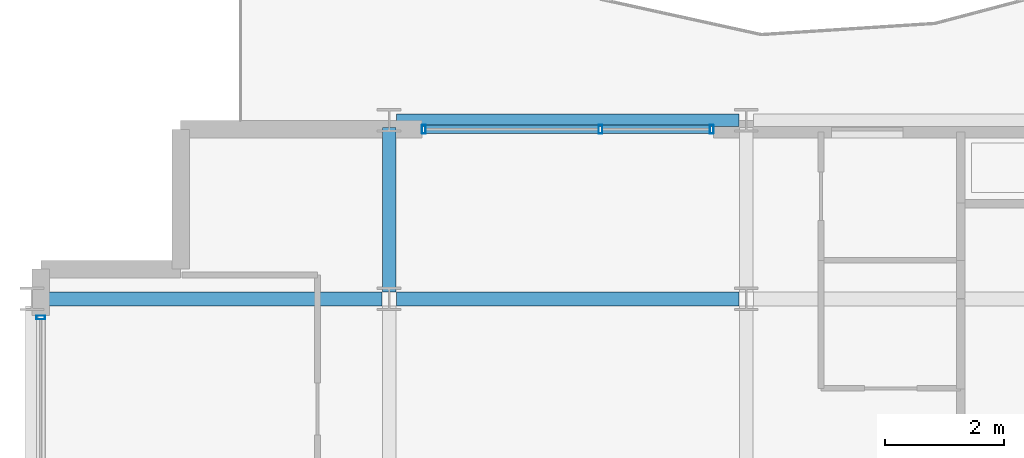
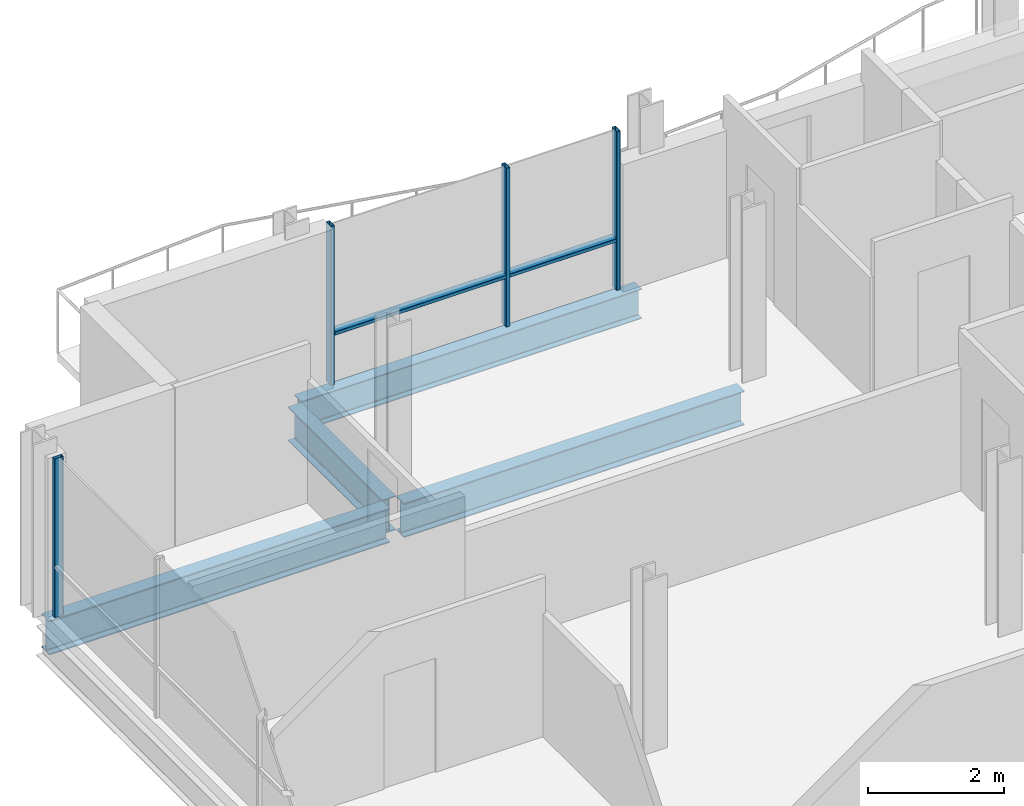
# One storey, part 8 of 36: 6 members, 4 beams, 2 elements without a shape of their own.
"""IFC4 building model written with IfcOpenShell, lengths in metres."""

from ifc_helpers import new_model, si_unit, direction, frame, origin, origin_2d, place, context, subcontext, project, spatial, hollow_rectangle, i_section, extrude, material, layer, layer_set, material_profile, profile_set, type_object, element, aggregate, save


model = new_model("IFC4")

# Units and contexts
model_context = context("Model", 3, precision=1e-05, world=origin(), true_north=direction((0.0, 1.0)))
body_context = subcontext(model_context, "Body", "Model", "MODEL_VIEW")
ifc_project = project(units=[si_unit("LENGTHUNIT", "METRE"), si_unit("AREAUNIT", "SQUARE_METRE"), si_unit("VOLUMEUNIT", "CUBIC_METRE"), si_unit("PLANEANGLEUNIT", "RADIAN"), si_unit("MASSUNIT", "GRAM", prefix="KILO")], contexts=[model_context])

# Site, building, storey
site_placement = place(None, origin())
site = spatial("IfcSite", under=ifc_project, at=site_placement, CompositionType="ELEMENT")
building_placement = place(site_placement, origin())
building = spatial("IfcBuilding", under=site, at=building_placement, Name="Brevholm Reach", CompositionType="ELEMENT")
storey_placement = place(building_placement, frame((0.0, 0.0, 175.89990234375)))
storey = spatial("IfcBuildingStorey", under=building, at=storey_placement, Name="L53", CompositionType="ELEMENT", Elevation=175.89990234375)

# Beams
ifc_material_1 = material(Name="Structural Steel S355J2", Category="steel")
ifc_material_profile_1 = material_profile(ifc_material_1, i_section(OverallWidth=0.209228515625, OverallDepth=0.533203125, WebThickness=0.010009765625, FlangeThickness=0.015625, FilletRadius=0.0126953125, at=origin_2d()), Name="UKB 533x210x92")
ifc_profile_set_1 = profile_set([ifc_material_profile_1], Name="Structural Steel S355J2")
beam_type_1 = type_object("IfcBeamType", Name="BM-SP533", PredefinedType="SPANDREL", material=ifc_profile_set_1)
beam_1_placement = place(storey_placement, frame((6.1201171875, 26.5, -0.4765625), z_axis=(1.0, 0.0, 0.0), x_axis=(0.0, 1.0, 0.0)))
element("IfcBeam", 1, at=beam_1_placement, inside=storey, type_object=beam_type_1, Name="L53 SP-02 Framing Beam", PredefinedType="SPANDREL", context=body_context, shape_type="SweptSolid", body=[
    extrude(i_section(OverallWidth=0.209228515625, OverallDepth=0.533203125, WebThickness=0.010009765625, FlangeThickness=0.015625, FilletRadius=0.0126953125, at=origin_2d()), origin(), (0.0, 0.0, 1.0), 5.759765625),
])
ifc_material_2 = material(Name="Structural Steel S355J2", Category="steel")
ifc_material_profile_2 = material_profile(ifc_material_2, i_section(OverallWidth=0.22900390625, OverallDepth=0.6123046875, WebThickness=0.011962890625, FlangeThickness=0.01953125, FilletRadius=0.0126953125, at=origin_2d()), Name="UKB 610x229x125")
ifc_profile_set_2 = profile_set([ifc_material_profile_2], Name="Structural Steel S355J2")
beam_type_2 = type_object("IfcBeamType", Name="BM-SP610", PredefinedType="SPANDREL", material=ifc_profile_set_2)
for number, where, z_axis, x_axis, name in (
    (2, (0.1201171875, 23.5, -0.51611328125), (1.0, 0.0, 0.0), (0.0, 1.0, 0.0), "L53 SP-01 Framing Beam"),
    (3, (6.1201171875, 23.5, -0.51611328125), (1.0, 0.0, 0.0), (0.0, 1.0, 0.0), "L53 SP-01 Framing Beam"),
):
    element("IfcBeam", number, at=place(storey_placement, frame(where, z_axis=z_axis, x_axis=x_axis)), inside=storey, type_object=beam_type_2, Name=name, PredefinedType="SPANDREL", context=body_context, shape_type="SweptSolid", body=[
        extrude(i_section(OverallWidth=0.22900390625, OverallDepth=0.6123046875, WebThickness=0.011962890625, FlangeThickness=0.01953125, FilletRadius=0.0126953125, at=origin_2d()), origin(), (0.0, 0.0, 1.0), 5.759765625),
    ])
beam_2_placement = place(storey_placement, frame((6.0, 23.6201171875, -0.51611328125), z_axis=(0.0, 1.0, 0.0), x_axis=(-1.0, 0.0, 0.0)))
element("IfcBeam", 4, at=beam_2_placement, inside=storey, type_object=beam_type_2, Name="L53 SP-01 Framing Beam", PredefinedType="SPANDREL", context=body_context, shape_type="SweptSolid", body=[
    extrude(i_section(OverallWidth=0.22900390625, OverallDepth=0.6123046875, WebThickness=0.011962890625, FlangeThickness=0.01953125, FilletRadius=0.0126953125, at=origin_2d()), origin(), (0.0, 0.0, 1.0), 2.759765625),
])

# Curtain wall, member
ifc_material_3 = material(Name="Dark Anodised Aluminium 6063-T6 and Solar-Control Glass", Category="aluminium")
ifc_layer = layer(ifc_material_3, 0.14990234375)
ifc_layer_set = layer_set([ifc_layer], Name="Dark Anodised Aluminium 6063-T6 and Solar-Control Glass")
curtain_wall_type = type_object("IfcCurtainWallType", Name="CW-01", PredefinedType="NOTDEFINED", material=ifc_layer_set)
curtain_wall_1_placement = place(storey_placement, origin())
curtain_wall_1 = element("IfcCurtainWall", 5, at=curtain_wall_1_placement, inside=storey, type_object=curtain_wall_type, Name="L53 Curtain Wall CW-01", PredefinedType="NOTDEFINED")
ifc_material_4 = material(Name="Dark Anodised Aluminium 6063-T6", Category="aluminium")
ifc_material_profile_3 = material_profile(ifc_material_4, hollow_rectangle(XDim=0.06494140625, YDim=0.14990234375, WallThickness=0.0048828125, InnerFilletRadius=0.0048828125, OuterFilletRadius=0.010009765625, at=origin_2d()), Name="RHS 150x65x5")
ifc_profile_set_3 = profile_set([ifc_material_profile_3], Name="Dark Anodised Aluminium 6063-T6")
member_type_1 = type_object("IfcMemberType", Name="CWM-150", PredefinedType="MULLION", material=ifc_profile_set_3)
member_1_placement = place(storey_placement, frame((0.14990234375, 23.1875, 0.0), z_axis=(0.0, 0.0, 1.0), x_axis=(0.0, -1.0, 0.0)))
member_1 = element("IfcMember", 6, at=member_1_placement, type_object=member_type_1, Name="CM-150 Mullion 1", PredefinedType="MULLION", context=body_context, shape_type="SweptSolid", body=[
    extrude(hollow_rectangle(XDim=0.06494140625, YDim=0.14990234375, WallThickness=0.0048828125, InnerFilletRadius=0.0048828125, OuterFilletRadius=0.010009765625, at=origin_2d()), origin(), (0.0, 0.0, 1.0), 2.840087890625),
])
aggregate(curtain_wall_1, [member_1])

# Curtain wall, members
curtain_wall_2_placement = place(storey_placement, origin())
curtain_wall_2 = element("IfcCurtainWall", 7, at=curtain_wall_2_placement, inside=storey, type_object=curtain_wall_type, Name="L53 Curtain Wall CW-01", PredefinedType="NOTDEFINED")
member_2_placement = place(storey_placement, frame((6.58251953125, 26.35009765625, 0.0), z_axis=(0.0, 0.0, 1.0), x_axis=(1.0, 0.0, 0.0)))
member_2 = element("IfcMember", 8, at=member_2_placement, type_object=member_type_1, Name="CM-150 Mullion 1", PredefinedType="MULLION", context=body_context, shape_type="SweptSolid", body=[
    extrude(hollow_rectangle(XDim=0.06494140625, YDim=0.14990234375, WallThickness=0.0048828125, InnerFilletRadius=0.0048828125, OuterFilletRadius=0.010009765625, at=origin_2d()), origin(), (0.0, 0.0, 1.0), 2.840087890625),
])
member_3_placement = place(storey_placement, frame((9.550048828125, 26.35009765625, 0.0), z_axis=(0.0, 0.0, 1.0), x_axis=(1.0, 0.0, 0.0)))
member_3 = element("IfcMember", 9, at=member_3_placement, type_object=member_type_1, Name="CM-150 Mullion 2", PredefinedType="MULLION", context=body_context, shape_type="SweptSolid", body=[
    extrude(hollow_rectangle(XDim=0.06494140625, YDim=0.14990234375, WallThickness=0.0048828125, InnerFilletRadius=0.0048828125, OuterFilletRadius=0.010009765625, at=origin_2d()), origin(), (0.0, 0.0, 1.0), 2.840087890625),
])
member_4_placement = place(storey_placement, frame((11.41748046875, 26.35009765625, 0.0), z_axis=(0.0, 0.0, 1.0), x_axis=(1.0, 0.0, 0.0)))
member_4 = element("IfcMember", 10, at=member_4_placement, type_object=member_type_1, Name="CM-150 Mullion 3", PredefinedType="MULLION", context=body_context, shape_type="SweptSolid", body=[
    extrude(hollow_rectangle(XDim=0.06494140625, YDim=0.14990234375, WallThickness=0.0048828125, InnerFilletRadius=0.0048828125, OuterFilletRadius=0.010009765625, at=origin_2d()), origin(), (0.0, 0.0, 1.0), 2.840087890625),
])
ifc_material_5 = material(Name="Dark Anodised Aluminium 6063-T6", Category="aluminium")
ifc_material_profile_4 = material_profile(ifc_material_5, hollow_rectangle(XDim=0.06494140625, YDim=0.14990234375, WallThickness=0.0048828125, InnerFilletRadius=0.0048828125, OuterFilletRadius=0.010009765625, at=origin_2d()), Name="RHS 150x65x5")
ifc_profile_set_4 = profile_set([ifc_material_profile_4], Name="Dark Anodised Aluminium 6063-T6")
member_type_2 = type_object("IfcMemberType", Name="CWT-150", PredefinedType="NOTDEFINED", material=ifc_profile_set_4)
member_5_placement = place(storey_placement, frame((6.614990234375, 26.35009765625, 0.900146484375), z_axis=(1.0, 0.0, 0.0), x_axis=(0.0, 0.0, 1.0)))
member_5 = element("IfcMember", 11, at=member_5_placement, type_object=member_type_2, Name="CT-150 Transom 1.1", ObjectType="TRANSOM", PredefinedType="USERDEFINED", context=body_context, shape_type="SweptSolid", body=[
    extrude(hollow_rectangle(XDim=0.06494140625, YDim=0.14990234375, WallThickness=0.0048828125, InnerFilletRadius=0.0048828125, OuterFilletRadius=0.010009765625, at=origin_2d()), origin(), (0.0, 0.0, 1.0), 2.902587890625),
])
member_6_placement = place(storey_placement, frame((9.58251953125, 26.35009765625, 0.900146484375), z_axis=(1.0, 0.0, 0.0), x_axis=(0.0, 0.0, 1.0)))
member_6 = element("IfcMember", 12, at=member_6_placement, type_object=member_type_2, Name="CT-150 Transom 2.1", ObjectType="TRANSOM", PredefinedType="USERDEFINED", context=body_context, shape_type="SweptSolid", body=[
    extrude(hollow_rectangle(XDim=0.06494140625, YDim=0.14990234375, WallThickness=0.0048828125, InnerFilletRadius=0.0048828125, OuterFilletRadius=0.010009765625, at=origin_2d()), origin(), (0.0, 0.0, 1.0), 1.802490234375),
])
aggregate(curtain_wall_2, [member_2, member_3, member_4, member_5, member_6])

save(model, "model.ifc")
